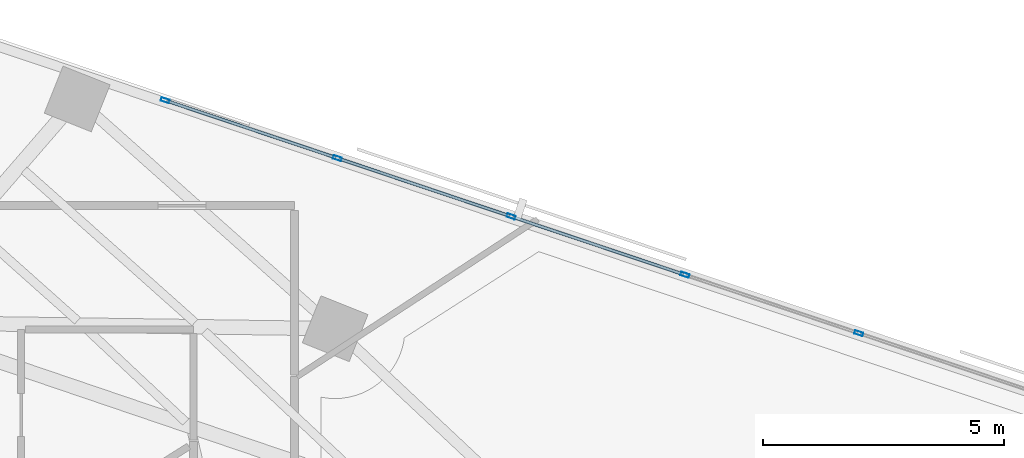
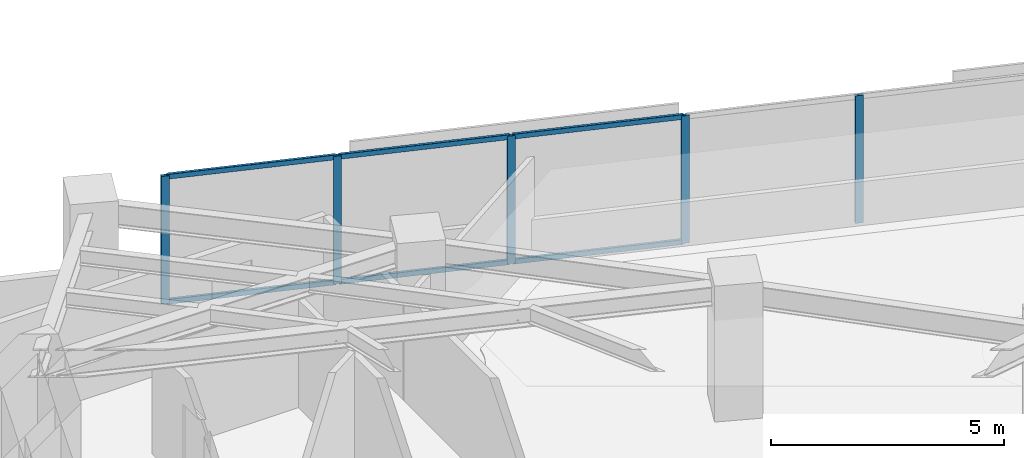
# One storey, part 4 of 13: 11 members, 1 element without a shape of its own.
"""IFC4 building model written with IfcOpenShell, lengths in metres."""

from ifc_helpers import new_model, si_unit, direction, frame, origin, origin_2d, place, context, subcontext, project, spatial, hollow_rectangle, extrude, material, material_profile, profile_set, type_object, element, aggregate, save


model = new_model("IFC4")

# Units and contexts
model_context = context("Model", 3, precision=1e-05, world=origin(), true_north=direction((0.0, 1.0)))
body_context = subcontext(model_context, "Body", "Model", "MODEL_VIEW")
ifc_project = project(units=[si_unit("LENGTHUNIT", "METRE"), si_unit("AREAUNIT", "SQUARE_METRE"), si_unit("VOLUMEUNIT", "CUBIC_METRE"), si_unit("PLANEANGLEUNIT", "RADIAN"), si_unit("MASSUNIT", "GRAM", prefix="KILO")], contexts=[model_context])

# Site, building, storey
site_placement = place(None, origin())
site = spatial("IfcSite", under=ifc_project, at=site_placement, CompositionType="ELEMENT")
building_placement = place(site_placement, origin())
building = spatial("IfcBuilding", under=site, at=building_placement, Name="Narakoshi Arena Tower", CompositionType="ELEMENT")
storey_placement = place(building_placement, frame((0.0, 0.0, 164.699951171875)))
storey = spatial("IfcBuildingStorey", under=building, at=storey_placement, Name="L44", CompositionType="ELEMENT", Elevation=164.699951171875)

# Curtain wall, members
ifc_material = material(Name="Anodised bronze aluminium 6063-T6", Category="aluminium")
curtain_wall_type = type_object("IfcCurtainWallType", Name="CW-HYP-MID", PredefinedType="NOTDEFINED", material=ifc_material)
curtain_wall_placement = place(storey_placement, origin())
curtain_wall = element("IfcCurtainWall", 1, at=curtain_wall_placement, inside=storey, type_object=curtain_wall_type, Name="L44 Folded Hypotenuse Curtain Wall 1-1", PredefinedType="NOTDEFINED")
ifc_material_profile_1 = material_profile(ifc_material, hollow_rectangle(XDim=0.074951171875, YDim=0.179931640625, WallThickness=0.00390625, OuterFilletRadius=0.0048828125, at=origin_2d()), Name="MUL180x75x4")
ifc_profile_set_1 = profile_set([ifc_material_profile_1], Name="Anodised bronze aluminium 6063-T6")
member_type_1 = type_object("IfcMemberType", Name="MEM-MUL-180", PredefinedType="MULLION", material=ifc_profile_set_1)
member_1_placement = place(storey_placement, frame((105.783447265625, 56.272705078125, 0.0), z_axis=(0.0, 0.0, 1.0), x_axis=(-0.318260960253, -0.948003144077, 0.0)))
member_1 = element("IfcMember", 2, at=member_1_placement, type_object=member_type_1, Name="CW-02 mullion 4", PredefinedType="MULLION", context=body_context, shape_type="SweptSolid", body=[
    extrude(hollow_rectangle(XDim=0.074951171875, YDim=0.179931640625, WallThickness=0.00390625, OuterFilletRadius=0.0048828125, at=origin_2d()), origin(), (0.0, 0.0, 1.0), 3.340087890625),
])
member_2_placement = place(storey_placement, frame((102.176025390625, 57.48388671875, 0.0), z_axis=(0.0, 0.0, 1.0), x_axis=(-0.318260960253, -0.948003144077, 0.0)))
member_2 = element("IfcMember", 3, at=member_2_placement, type_object=member_type_1, Name="CW-02 mullion 5", PredefinedType="MULLION", context=body_context, shape_type="SweptSolid", body=[
    extrude(hollow_rectangle(XDim=0.074951171875, YDim=0.179931640625, WallThickness=0.00390625, OuterFilletRadius=0.0048828125, at=origin_2d()), origin(), (0.0, 0.0, 1.0), 3.340087890625),
])
member_3_placement = place(storey_placement, frame((98.568359375, 58.695068359375, 0.0), z_axis=(0.0, 0.0, 1.0), x_axis=(-0.318260960253, -0.948003144077, 0.0)))
member_3 = element("IfcMember", 4, at=member_3_placement, type_object=member_type_1, Name="CW-02 mullion 6", PredefinedType="MULLION", context=body_context, shape_type="SweptSolid", body=[
    extrude(hollow_rectangle(XDim=0.074951171875, YDim=0.179931640625, WallThickness=0.00390625, OuterFilletRadius=0.0048828125, at=origin_2d()), origin(), (0.0, 0.0, 1.0), 3.340087890625),
])
member_4_placement = place(storey_placement, frame((94.960693359375, 59.90625, 0.0), z_axis=(0.0, 0.0, 1.0), x_axis=(-0.318260960253, -0.948003144077, 0.0)))
member_4 = element("IfcMember", 5, at=member_4_placement, type_object=member_type_1, Name="CW-02 mullion 7", PredefinedType="MULLION", context=body_context, shape_type="SweptSolid", body=[
    extrude(hollow_rectangle(XDim=0.074951171875, YDim=0.179931640625, WallThickness=0.00390625, OuterFilletRadius=0.0048828125, at=origin_2d()), origin(), (0.0, 0.0, 1.0), 3.340087890625),
])
member_5_placement = place(storey_placement, frame((91.388671875, 61.10546875, 0.0), z_axis=(0.0, 0.0, 1.0), x_axis=(-0.318260960253, -0.948003144077, 0.0)))
member_5 = element("IfcMember", 6, at=member_5_placement, type_object=member_type_1, Name="CW-02 mullion 8", PredefinedType="MULLION", context=body_context, shape_type="SweptSolid", body=[
    extrude(hollow_rectangle(XDim=0.074951171875, YDim=0.179931640625, WallThickness=0.00390625, OuterFilletRadius=0.0048828125, at=origin_2d()), origin(), (0.0, 0.0, 1.0), 3.340087890625),
])
ifc_material_profile_2 = material_profile(ifc_material, hollow_rectangle(XDim=0.06494140625, YDim=0.1298828125, WallThickness=0.00390625, OuterFilletRadius=0.0048828125, at=origin_2d()), Name="TRN130x65x4")
ifc_profile_set_2 = profile_set([ifc_material_profile_2], Name="Anodised bronze aluminium 6063-T6")
member_type_2 = type_object("IfcMemberType", Name="MEM-TRN-130", PredefinedType="USERDEFINED", material=ifc_profile_set_2)
member_6_placement = place(storey_placement, frame((102.140380859375, 57.495849609375, 0.032470703125), z_axis=(-0.948000451231, 0.318268981314, 0.0), x_axis=(-0.318268981314, -0.948000451231, 0.0)))
member_6 = element("IfcMember", 7, at=member_6_placement, type_object=member_type_2, Name="CW-02 transom 5.1", ObjectType="TRANSOM", PredefinedType="USERDEFINED", context=body_context, shape_type="SweptSolid", body=[
    extrude(hollow_rectangle(XDim=0.06494140625, YDim=0.1298828125, WallThickness=0.00390625, OuterFilletRadius=0.0048828125, at=origin_2d()), origin(), (0.0, 0.0, 1.0), 3.73046875),
])
member_7_placement = place(storey_placement, frame((102.140380859375, 57.495849609375, 3.3076171875), z_axis=(-0.948000451231, 0.318268981314, 0.0), x_axis=(-0.318268981314, -0.948000451231, 0.0)))
member_7 = element("IfcMember", 8, at=member_7_placement, type_object=member_type_2, Name="CW-02 transom 5.2", ObjectType="TRANSOM", PredefinedType="USERDEFINED", context=body_context, shape_type="SweptSolid", body=[
    extrude(hollow_rectangle(XDim=0.06494140625, YDim=0.1298828125, WallThickness=0.00390625, OuterFilletRadius=0.0048828125, at=origin_2d()), origin(), (0.0, 0.0, 1.0), 3.73046875),
])
member_8_placement = place(storey_placement, frame((98.53271484375, 58.70703125, 0.032470703125), z_axis=(-0.948000451231, 0.318268981314, 0.0), x_axis=(-0.318268981314, -0.948000451231, 0.0)))
member_8 = element("IfcMember", 9, at=member_8_placement, type_object=member_type_2, Name="CW-02 transom 6.1", ObjectType="TRANSOM", PredefinedType="USERDEFINED", context=body_context, shape_type="SweptSolid", body=[
    extrude(hollow_rectangle(XDim=0.06494140625, YDim=0.1298828125, WallThickness=0.00390625, OuterFilletRadius=0.0048828125, at=origin_2d()), origin(), (0.0, 0.0, 1.0), 3.73046875),
])
member_9_placement = place(storey_placement, frame((98.53271484375, 58.70703125, 3.3076171875), z_axis=(-0.948000451231, 0.318268981314, 0.0), x_axis=(-0.318268981314, -0.948000451231, 0.0)))
member_9 = element("IfcMember", 10, at=member_9_placement, type_object=member_type_2, Name="CW-02 transom 6.2", ObjectType="TRANSOM", PredefinedType="USERDEFINED", context=body_context, shape_type="SweptSolid", body=[
    extrude(hollow_rectangle(XDim=0.06494140625, YDim=0.1298828125, WallThickness=0.00390625, OuterFilletRadius=0.0048828125, at=origin_2d()), origin(), (0.0, 0.0, 1.0), 3.73046875),
])
member_10_placement = place(storey_placement, frame((94.92529296875, 59.918212890625, 0.032470703125), z_axis=(-0.948006826737, 0.31824999051, 0.0), x_axis=(-0.31824999051, -0.948006826737, 0.0)))
member_10 = element("IfcMember", 11, at=member_10_placement, type_object=member_type_2, Name="CW-02 transom 7.1", ObjectType="TRANSOM", PredefinedType="USERDEFINED", context=body_context, shape_type="SweptSolid", body=[
    extrude(hollow_rectangle(XDim=0.06494140625, YDim=0.1298828125, WallThickness=0.00390625, OuterFilletRadius=0.0048828125, at=origin_2d()), origin(), (0.0, 0.0, 1.0), 3.69287109375),
])
member_11_placement = place(storey_placement, frame((94.92529296875, 59.918212890625, 3.3076171875), z_axis=(-0.948006826737, 0.31824999051, 0.0), x_axis=(-0.31824999051, -0.948006826737, 0.0)))
member_11 = element("IfcMember", 12, at=member_11_placement, type_object=member_type_2, Name="CW-02 transom 7.2", ObjectType="TRANSOM", PredefinedType="USERDEFINED", context=body_context, shape_type="SweptSolid", body=[
    extrude(hollow_rectangle(XDim=0.06494140625, YDim=0.1298828125, WallThickness=0.00390625, OuterFilletRadius=0.0048828125, at=origin_2d()), origin(), (0.0, 0.0, 1.0), 3.69287109375),
])
aggregate(curtain_wall, [member_1, member_2, member_3, member_4, member_5, member_6, member_7, member_8, member_9, member_10, member_11])

save(model, "model.ifc")
